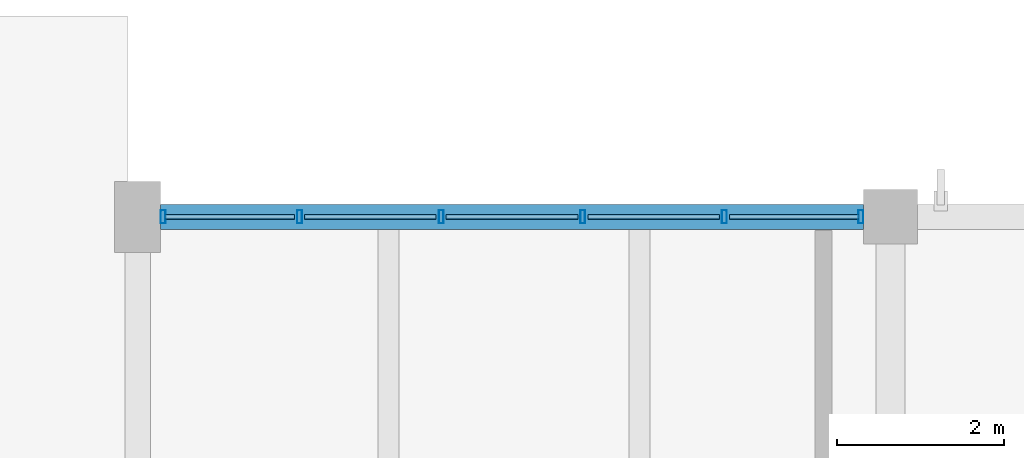
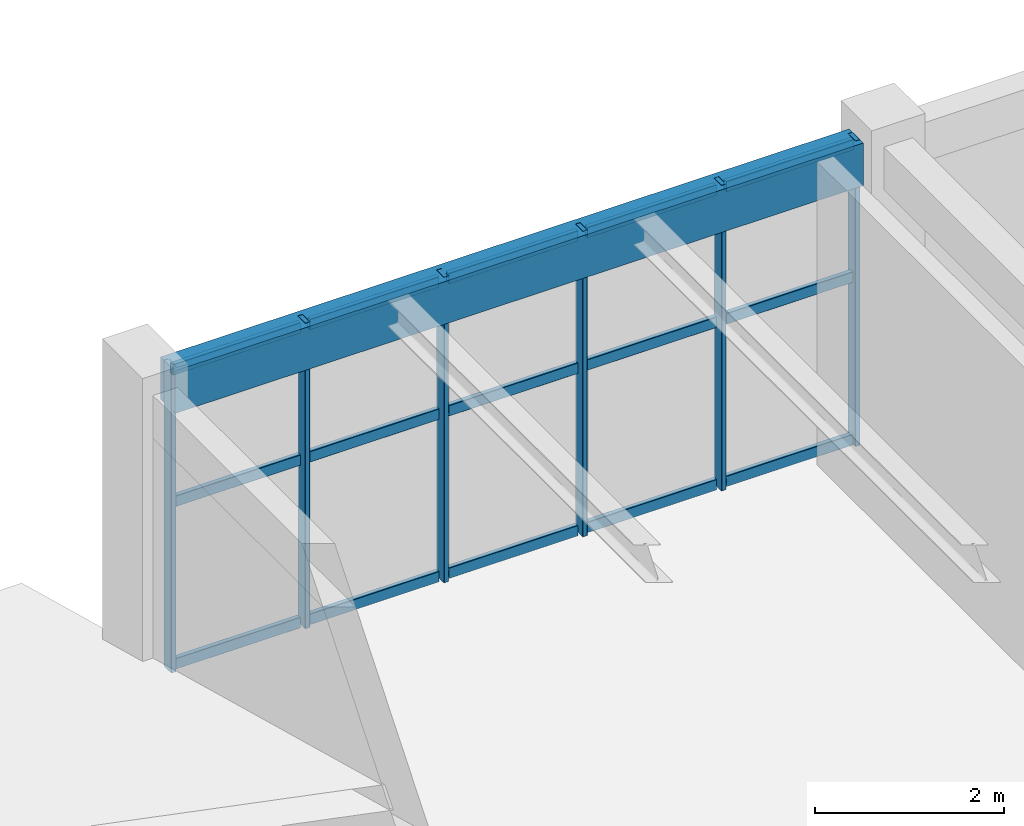
# One storey, part 50 of 71: 21 members, 1 beam, 1 element without a shape of its own.
"""IFC4 building model written with IfcOpenShell, lengths in metres."""

from ifc_helpers import new_model, si_unit, derived_unit, direction, frame, origin, origin_2d, place, context, subcontext, project, spatial, rectangle, hollow_rectangle, extrude, material, material_profile, profile_set, type_object, element, aggregate, save


model = new_model("IFC4")

# Units and contexts
model_context = context("Model", 3, precision=1e-05, world=origin(), true_north=direction((0.0, 1.0)))
body_context = subcontext(model_context, "Body", "Model", "MODEL_VIEW")
ifc_project = project(units=[si_unit("LENGTHUNIT", "METRE"), si_unit("AREAUNIT", "SQUARE_METRE"), si_unit("VOLUMEUNIT", "CUBIC_METRE"), si_unit("PLANEANGLEUNIT", "RADIAN"), si_unit("MASSUNIT", "GRAM", prefix="KILO"), derived_unit("THERMALTRANSMITTANCEUNIT", [(si_unit("MASSUNIT", "GRAM", prefix="KILO"), 1), (si_unit("TIMEUNIT", "SECOND"), -3), (si_unit("THERMODYNAMICTEMPERATUREUNIT", "KELVIN"), -1)])], contexts=[model_context])

# Site, building, storey
site_placement = place(None, origin())
site = spatial("IfcSite", under=ifc_project, at=site_placement, CompositionType="ELEMENT")
building_placement = place(site_placement, origin())
building = spatial("IfcBuilding", under=site, at=building_placement, Name="Zhenchuan Archway Interchange", CompositionType="ELEMENT")
storey_placement = place(building_placement, frame((0.0, 0.0, 18.60009765625)))
storey = spatial("IfcBuildingStorey", under=building, at=storey_placement, Name="L04", CompositionType="ELEMENT", Elevation=18.60009765625)

# Curtain wall, members
ifc_material_1 = material(Name="Anodised Aluminium", Category="aluminium")
curtain_wall_type = type_object("IfcCurtainWallType", Name="CW_UNIT_2", PredefinedType="NOTDEFINED", material=ifc_material_1)
curtain_wall_placement = place(storey_placement, origin())
curtain_wall = element("IfcCurtainWall", 1, at=curtain_wall_placement, inside=storey, type_object=curtain_wall_type, Name="Unitised curtain wall CW:L04:193", PredefinedType="NOTDEFINED")
ifc_material_profile_1 = material_profile(ifc_material_1, hollow_rectangle(XDim=0.06005859375, YDim=0.159912109375, WallThickness=0.00390625, InnerFilletRadius=0.00390625, OuterFilletRadius=0.008056640625, at=origin_2d()), Name="ALU 160x60x4")
ifc_profile_set_1 = profile_set([ifc_material_profile_1], Name="Anodised Aluminium")
member_type_1 = type_object("IfcMemberType", Name="CW_MUL_150", PredefinedType="MULLION", material=ifc_profile_set_1)
member_1_placement = place(storey_placement, frame((144.302978515625, 104.0, 0.0), z_axis=(0.0, 0.0, 1.0), x_axis=(1.0, 0.0, 0.0)))
member_1 = element("IfcMember", 2, at=member_1_placement, type_object=member_type_1, Name="CW:L04:193 mullion 0", PredefinedType="MULLION", context=body_context, shape_type="SweptSolid", body=[
    extrude(hollow_rectangle(XDim=0.06005859375, YDim=0.159912109375, WallThickness=0.00390625, InnerFilletRadius=0.00390625, OuterFilletRadius=0.008056640625, at=origin_2d()), origin(), (0.0, 0.0, 1.0), 3.93994140625),
])
member_2_placement = place(storey_placement, frame((145.935791015625, 104.0, 0.0), z_axis=(0.0, 0.0, 1.0), x_axis=(1.0, 0.0, 0.0)))
member_2 = element("IfcMember", 3, at=member_2_placement, type_object=member_type_1, Name="CW:L04:193 mullion 1", PredefinedType="MULLION", context=body_context, shape_type="SweptSolid", body=[
    extrude(hollow_rectangle(XDim=0.06005859375, YDim=0.159912109375, WallThickness=0.00390625, InnerFilletRadius=0.00390625, OuterFilletRadius=0.008056640625, at=origin_2d()), origin(), (0.0, 0.0, 1.0), 3.93994140625),
])
member_3_placement = place(storey_placement, frame((147.628662109375, 104.0, 0.0), z_axis=(0.0, 0.0, 1.0), x_axis=(1.0, 0.0, 0.0)))
member_3 = element("IfcMember", 4, at=member_3_placement, type_object=member_type_1, Name="CW:L04:193 mullion 2", PredefinedType="MULLION", context=body_context, shape_type="SweptSolid", body=[
    extrude(hollow_rectangle(XDim=0.06005859375, YDim=0.159912109375, WallThickness=0.00390625, InnerFilletRadius=0.00390625, OuterFilletRadius=0.008056640625, at=origin_2d()), origin(), (0.0, 0.0, 1.0), 3.93994140625),
])
member_4_placement = place(storey_placement, frame((149.3212890625, 104.0, 0.0), z_axis=(0.0, 0.0, 1.0), x_axis=(1.0, 0.0, 0.0)))
member_4 = element("IfcMember", 5, at=member_4_placement, type_object=member_type_1, Name="CW:L04:193 mullion 3", PredefinedType="MULLION", context=body_context, shape_type="SweptSolid", body=[
    extrude(hollow_rectangle(XDim=0.06005859375, YDim=0.159912109375, WallThickness=0.00390625, InnerFilletRadius=0.00390625, OuterFilletRadius=0.008056640625, at=origin_2d()), origin(), (0.0, 0.0, 1.0), 3.93994140625),
])
member_5_placement = place(storey_placement, frame((151.01416015625, 104.0, 0.0), z_axis=(0.0, 0.0, 1.0), x_axis=(1.0, 0.0, 0.0)))
member_5 = element("IfcMember", 6, at=member_5_placement, type_object=member_type_1, Name="CW:L04:193 mullion 4", PredefinedType="MULLION", context=body_context, shape_type="SweptSolid", body=[
    extrude(hollow_rectangle(XDim=0.06005859375, YDim=0.159912109375, WallThickness=0.00390625, InnerFilletRadius=0.00390625, OuterFilletRadius=0.008056640625, at=origin_2d()), origin(), (0.0, 0.0, 1.0), 3.93994140625),
])
member_6_placement = place(storey_placement, frame((152.64697265625, 104.0, 0.0), z_axis=(0.0, 0.0, 1.0), x_axis=(1.0, 0.0, 0.0)))
member_6 = element("IfcMember", 7, at=member_6_placement, type_object=member_type_1, Name="CW:L04:193 mullion 5", PredefinedType="MULLION", context=body_context, shape_type="SweptSolid", body=[
    extrude(hollow_rectangle(XDim=0.06005859375, YDim=0.159912109375, WallThickness=0.00390625, InnerFilletRadius=0.00390625, OuterFilletRadius=0.008056640625, at=origin_2d()), origin(), (0.0, 0.0, 1.0), 3.93994140625),
])
ifc_material_profile_2 = material_profile(ifc_material_1, hollow_rectangle(XDim=0.06005859375, YDim=0.139892578125, WallThickness=0.00341796875, InnerFilletRadius=0.00341796875, OuterFilletRadius=0.007080078125, at=origin_2d()), Name="ALU 140x60x3.5")
ifc_profile_set_2 = profile_set([ifc_material_profile_2], Name="Anodised Aluminium")
member_type_2 = type_object("IfcMemberType", Name="CW_TRN_140", PredefinedType="USERDEFINED", material=ifc_profile_set_2)
member_7_placement = place(storey_placement, frame((144.322998046875, 104.0, 0.059814453125), z_axis=(1.0, 0.0, 0.0), x_axis=(0.0, 1.0, 0.0)))
member_7 = element("IfcMember", 8, at=member_7_placement, type_object=member_type_2, Name="CW:L04:193 transom 0-1", ObjectType="TRANSOM", PredefinedType="USERDEFINED", context=body_context, shape_type="SweptSolid", body=[
    extrude(hollow_rectangle(XDim=0.06005859375, YDim=0.139892578125, WallThickness=0.00341796875, InnerFilletRadius=0.00341796875, OuterFilletRadius=0.007080078125, at=origin_2d()), origin(), (0.0, 0.0, 1.0), 1.552734375),
])
member_8_placement = place(storey_placement, frame((144.322998046875, 104.0, 2.156005859375), z_axis=(1.0, 0.0, 0.0), x_axis=(0.0, 1.0, 0.0)))
member_8 = element("IfcMember", 9, at=member_8_placement, type_object=member_type_2, Name="CW:L04:193 transom 0-2", ObjectType="TRANSOM", PredefinedType="USERDEFINED", context=body_context, shape_type="SweptSolid", body=[
    extrude(hollow_rectangle(XDim=0.06005859375, YDim=0.139892578125, WallThickness=0.00341796875, InnerFilletRadius=0.00341796875, OuterFilletRadius=0.007080078125, at=origin_2d()), origin(), (0.0, 0.0, 1.0), 1.552734375),
])
member_9_placement = place(storey_placement, frame((144.322998046875, 104.0, 3.85986328125), z_axis=(1.0, 0.0, 0.0), x_axis=(0.0, 1.0, 0.0)))
member_9 = element("IfcMember", 10, at=member_9_placement, type_object=member_type_2, Name="CW:L04:193 transom 0-3", ObjectType="TRANSOM", PredefinedType="USERDEFINED", context=body_context, shape_type="SweptSolid", body=[
    extrude(hollow_rectangle(XDim=0.06005859375, YDim=0.139892578125, WallThickness=0.00341796875, InnerFilletRadius=0.00341796875, OuterFilletRadius=0.007080078125, at=origin_2d()), origin(), (0.0, 0.0, 1.0), 1.552734375),
])
member_10_placement = place(storey_placement, frame((145.995849609375, 104.0, 0.059814453125), z_axis=(1.0, 0.0, 0.0), x_axis=(0.0, 1.0, 0.0)))
member_10 = element("IfcMember", 11, at=member_10_placement, type_object=member_type_2, Name="CW:L04:193 transom 1-1", ObjectType="TRANSOM", PredefinedType="USERDEFINED", context=body_context, shape_type="SweptSolid", body=[
    extrude(hollow_rectangle(XDim=0.06005859375, YDim=0.139892578125, WallThickness=0.00341796875, InnerFilletRadius=0.00341796875, OuterFilletRadius=0.007080078125, at=origin_2d()), origin(), (0.0, 0.0, 1.0), 1.57275390625),
])
member_11_placement = place(storey_placement, frame((145.995849609375, 104.0, 2.156005859375), z_axis=(1.0, 0.0, 0.0), x_axis=(0.0, 1.0, 0.0)))
member_11 = element("IfcMember", 12, at=member_11_placement, type_object=member_type_2, Name="CW:L04:193 transom 1-2", ObjectType="TRANSOM", PredefinedType="USERDEFINED", context=body_context, shape_type="SweptSolid", body=[
    extrude(hollow_rectangle(XDim=0.06005859375, YDim=0.139892578125, WallThickness=0.00341796875, InnerFilletRadius=0.00341796875, OuterFilletRadius=0.007080078125, at=origin_2d()), origin(), (0.0, 0.0, 1.0), 1.57275390625),
])
member_12_placement = place(storey_placement, frame((145.995849609375, 104.0, 3.85986328125), z_axis=(1.0, 0.0, 0.0), x_axis=(0.0, 1.0, 0.0)))
member_12 = element("IfcMember", 13, at=member_12_placement, type_object=member_type_2, Name="CW:L04:193 transom 1-3", ObjectType="TRANSOM", PredefinedType="USERDEFINED", context=body_context, shape_type="SweptSolid", body=[
    extrude(hollow_rectangle(XDim=0.06005859375, YDim=0.139892578125, WallThickness=0.00341796875, InnerFilletRadius=0.00341796875, OuterFilletRadius=0.007080078125, at=origin_2d()), origin(), (0.0, 0.0, 1.0), 1.57275390625),
])
member_13_placement = place(storey_placement, frame((147.688720703125, 104.0, 0.059814453125), z_axis=(1.0, 0.0, 0.0), x_axis=(0.0, 1.0, 0.0)))
member_13 = element("IfcMember", 14, at=member_13_placement, type_object=member_type_2, Name="CW:L04:193 transom 2-1", ObjectType="TRANSOM", PredefinedType="USERDEFINED", context=body_context, shape_type="SweptSolid", body=[
    extrude(hollow_rectangle(XDim=0.06005859375, YDim=0.139892578125, WallThickness=0.00341796875, InnerFilletRadius=0.00341796875, OuterFilletRadius=0.007080078125, at=origin_2d()), origin(), (0.0, 0.0, 1.0), 1.57275390625),
])
member_14_placement = place(storey_placement, frame((147.688720703125, 104.0, 2.156005859375), z_axis=(1.0, 0.0, 0.0), x_axis=(0.0, 1.0, 0.0)))
member_14 = element("IfcMember", 15, at=member_14_placement, type_object=member_type_2, Name="CW:L04:193 transom 2-2", ObjectType="TRANSOM", PredefinedType="USERDEFINED", context=body_context, shape_type="SweptSolid", body=[
    extrude(hollow_rectangle(XDim=0.06005859375, YDim=0.139892578125, WallThickness=0.00341796875, InnerFilletRadius=0.00341796875, OuterFilletRadius=0.007080078125, at=origin_2d()), origin(), (0.0, 0.0, 1.0), 1.57275390625),
])
member_15_placement = place(storey_placement, frame((147.688720703125, 104.0, 3.85986328125), z_axis=(1.0, 0.0, 0.0), x_axis=(0.0, 1.0, 0.0)))
member_15 = element("IfcMember", 16, at=member_15_placement, type_object=member_type_2, Name="CW:L04:193 transom 2-3", ObjectType="TRANSOM", PredefinedType="USERDEFINED", context=body_context, shape_type="SweptSolid", body=[
    extrude(hollow_rectangle(XDim=0.06005859375, YDim=0.139892578125, WallThickness=0.00341796875, InnerFilletRadius=0.00341796875, OuterFilletRadius=0.007080078125, at=origin_2d()), origin(), (0.0, 0.0, 1.0), 1.57275390625),
])
member_16_placement = place(storey_placement, frame((149.38134765625, 104.0, 0.059814453125), z_axis=(1.0, 0.0, 0.0), x_axis=(0.0, 1.0, 0.0)))
member_16 = element("IfcMember", 17, at=member_16_placement, type_object=member_type_2, Name="CW:L04:193 transom 3-1", ObjectType="TRANSOM", PredefinedType="USERDEFINED", context=body_context, shape_type="SweptSolid", body=[
    extrude(hollow_rectangle(XDim=0.06005859375, YDim=0.139892578125, WallThickness=0.00341796875, InnerFilletRadius=0.00341796875, OuterFilletRadius=0.007080078125, at=origin_2d()), origin(), (0.0, 0.0, 1.0), 1.57275390625),
])
member_17_placement = place(storey_placement, frame((149.38134765625, 104.0, 2.156005859375), z_axis=(1.0, 0.0, 0.0), x_axis=(0.0, 1.0, 0.0)))
member_17 = element("IfcMember", 18, at=member_17_placement, type_object=member_type_2, Name="CW:L04:193 transom 3-2", ObjectType="TRANSOM", PredefinedType="USERDEFINED", context=body_context, shape_type="SweptSolid", body=[
    extrude(hollow_rectangle(XDim=0.06005859375, YDim=0.139892578125, WallThickness=0.00341796875, InnerFilletRadius=0.00341796875, OuterFilletRadius=0.007080078125, at=origin_2d()), origin(), (0.0, 0.0, 1.0), 1.57275390625),
])
member_18_placement = place(storey_placement, frame((149.38134765625, 104.0, 3.85986328125), z_axis=(1.0, 0.0, 0.0), x_axis=(0.0, 1.0, 0.0)))
member_18 = element("IfcMember", 19, at=member_18_placement, type_object=member_type_2, Name="CW:L04:193 transom 3-3", ObjectType="TRANSOM", PredefinedType="USERDEFINED", context=body_context, shape_type="SweptSolid", body=[
    extrude(hollow_rectangle(XDim=0.06005859375, YDim=0.139892578125, WallThickness=0.00341796875, InnerFilletRadius=0.00341796875, OuterFilletRadius=0.007080078125, at=origin_2d()), origin(), (0.0, 0.0, 1.0), 1.57275390625),
])
member_19_placement = place(storey_placement, frame((151.07421875, 104.0, 0.059814453125), z_axis=(1.0, 0.0, 0.0), x_axis=(0.0, 1.0, 0.0)))
member_19 = element("IfcMember", 20, at=member_19_placement, type_object=member_type_2, Name="CW:L04:193 transom 4-1", ObjectType="TRANSOM", PredefinedType="USERDEFINED", context=body_context, shape_type="SweptSolid", body=[
    extrude(hollow_rectangle(XDim=0.06005859375, YDim=0.139892578125, WallThickness=0.00341796875, InnerFilletRadius=0.00341796875, OuterFilletRadius=0.007080078125, at=origin_2d()), origin(), (0.0, 0.0, 1.0), 1.552734375),
])
member_20_placement = place(storey_placement, frame((151.07421875, 104.0, 2.156005859375), z_axis=(1.0, 0.0, 0.0), x_axis=(0.0, 1.0, 0.0)))
member_20 = element("IfcMember", 21, at=member_20_placement, type_object=member_type_2, Name="CW:L04:193 transom 4-2", ObjectType="TRANSOM", PredefinedType="USERDEFINED", context=body_context, shape_type="SweptSolid", body=[
    extrude(hollow_rectangle(XDim=0.06005859375, YDim=0.139892578125, WallThickness=0.00341796875, InnerFilletRadius=0.00341796875, OuterFilletRadius=0.007080078125, at=origin_2d()), origin(), (0.0, 0.0, 1.0), 1.552734375),
])
member_21_placement = place(storey_placement, frame((151.07421875, 104.0, 3.85986328125), z_axis=(1.0, 0.0, 0.0), x_axis=(0.0, 1.0, 0.0)))
member_21 = element("IfcMember", 22, at=member_21_placement, type_object=member_type_2, Name="CW:L04:193 transom 4-3", ObjectType="TRANSOM", PredefinedType="USERDEFINED", context=body_context, shape_type="SweptSolid", body=[
    extrude(hollow_rectangle(XDim=0.06005859375, YDim=0.139892578125, WallThickness=0.00341796875, InnerFilletRadius=0.00341796875, OuterFilletRadius=0.007080078125, at=origin_2d()), origin(), (0.0, 0.0, 1.0), 1.552734375),
])
aggregate(curtain_wall, [member_1, member_2, member_3, member_4, member_5, member_6, member_7, member_8, member_9, member_10, member_11, member_12, member_13, member_14, member_15, member_16, member_17, member_18, member_19, member_20, member_21])

# Beam
ifc_material_2 = material(Name="Concrete C40", Category="concrete")
ifc_material_profile_3 = material_profile(ifc_material_2, rectangle(XDim=0.300048828125, YDim=0.550048828125, at=origin_2d()), Name="RC 300x550")
ifc_profile_set_3 = profile_set([ifc_material_profile_3], Name="Concrete C40")
beam_type = type_object("IfcBeamType", Name="SP_RC_300x550", PredefinedType="SPANDREL", material=ifc_profile_set_3)
beam_placement = place(storey_placement, frame((144.27490234375, 104.0, 3.664794921875), z_axis=(1.0, 0.0, 0.0), x_axis=(0.0, 1.0, 0.0)))
element("IfcBeam", 23, at=beam_placement, inside=storey, type_object=beam_type, Name="Beam O:17-18 (L04)", PredefinedType="SPANDREL", context=body_context, shape_type="SweptSolid", body=[
    extrude(rectangle(XDim=0.300048828125, YDim=0.550048828125, at=origin_2d()), origin(), (0.0, 0.0, 1.0), 8.400146484375),
])

save(model, "model.ifc")
